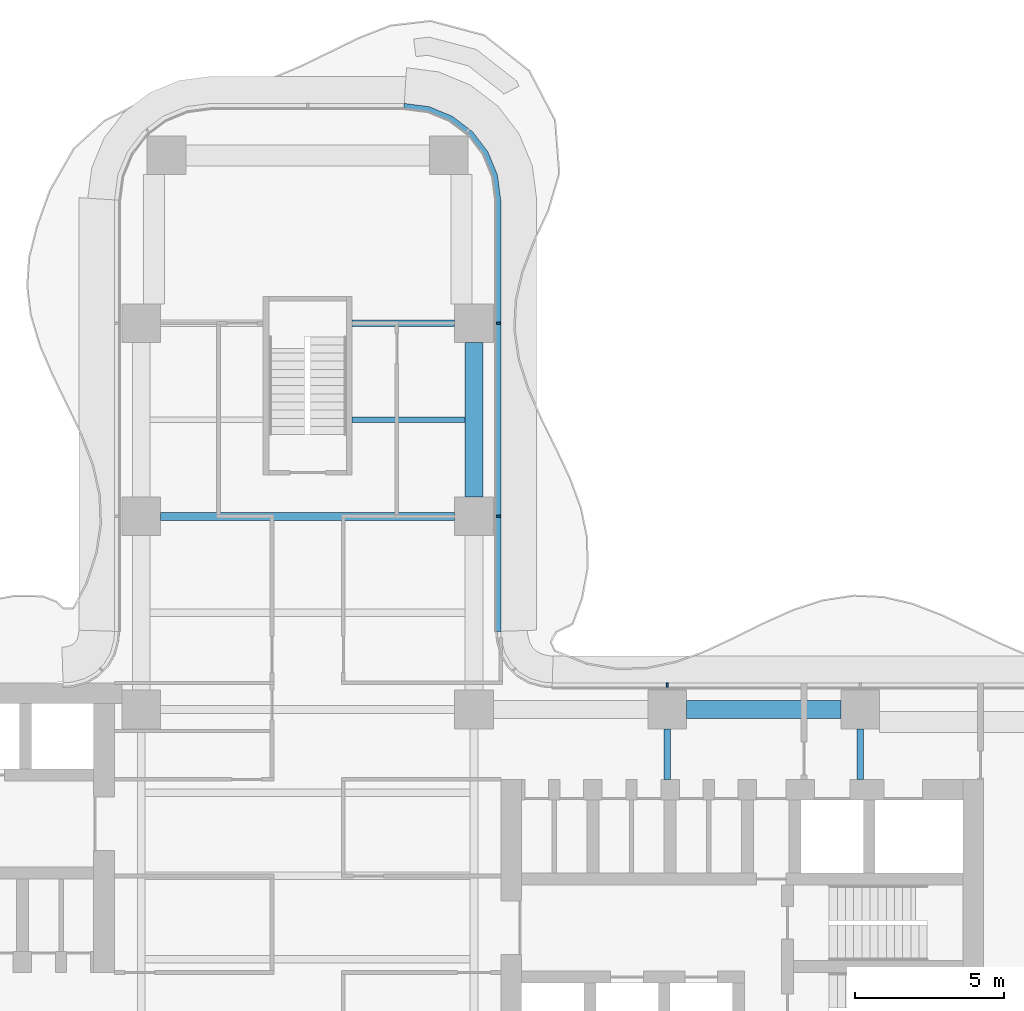
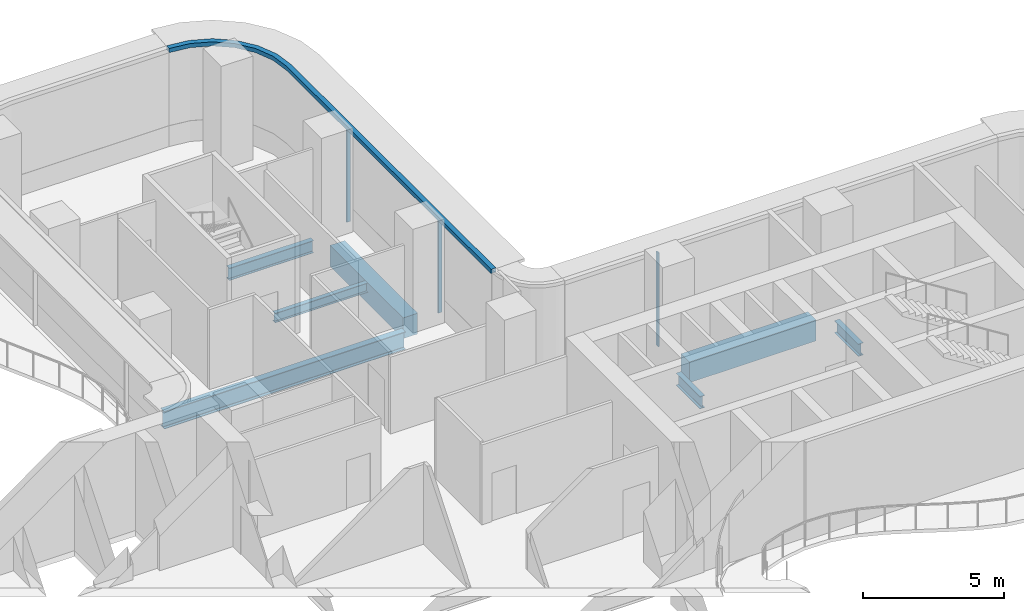
# One storey, part 10 of 21: 7 beams, 4 members, 2 elements without a shape of their own.
"""IFC4 building model written with IfcOpenShell, lengths in metres."""

import ifcopenshell
import ifcopenshell.guid

model = None  # the IFC model being written
_history = None  # IfcOwnerHistory: only IFC2X3 demands one
_inside = {}  # id of a spatial element -> (the spatial element, [elements in it])
_under = {}  # id of a project, library or spatial element -> (it, [spatial elements below it])
_declared = {}  # id of a project -> (the project, [libraries it declares])
_typed = {}  # id of a type object -> (the type object, [elements of that type])
_made_of = {}  # id of a material, layer set ... -> (it, [elements and type objects made of it])


def new_model(schema):
    """Start an empty IFC model of exactly this schema.

    Asked for "IFC4X3", IfcOpenShell would pick the latest addendum, in which some entities
    have other attributes; the version numbers below select the first issue.
    IFC2X3 requires an IfcOwnerHistory on every rooted entity: one is made here for all.
    """
    global model, _history
    if schema == "IFC4X3":
        model = ifcopenshell.file(schema_version=(4, 3, 0, 0))
    else:
        model = ifcopenshell.file(schema=schema)
    _inside.clear()
    _under.clear()
    _declared.clear()
    _typed.clear()
    _made_of.clear()
    _history = None
    if model.schema == "IFC2X3":
        org = make("IfcOrganization", Name="unknown")
        user = make(
            "IfcPersonAndOrganization",
            ThePerson=make("IfcPerson", FamilyName="unknown"),
            TheOrganization=org,
        )
        app = make(
            "IfcApplication",
            ApplicationDeveloper=org,
            Version="unknown",
            ApplicationFullName="unknown",
            ApplicationIdentifier="unknown",
        )
        _history = make(
            "IfcOwnerHistory",
            OwningUser=user,
            OwningApplication=app,
            ChangeAction="ADDED",
            CreationDate=0,
        )
    return model


def make(cls, **values):
    """One entity of the class cls with the attributes given. An attribute that is None is left unset."""
    return model.create_entity(
        cls, **{name: value for name, value in values.items() if value is not None}
    )


def rooted(cls, **values):
    """An entity with a GlobalId (a new one), such as an element, a storey or a relation."""
    return make(cls, GlobalId=ifcopenshell.guid.new(), OwnerHistory=_history, **values)


def si_unit(unit_type, name, prefix=None):
    """IfcSIUnit, for example si_unit("LENGTHUNIT", "METRE", prefix="MILLI")."""
    return make("IfcSIUnit", UnitType=unit_type, Prefix=prefix, Name=name)


def assignment(units):
    """IfcUnitAssignment: the units of a project."""
    return None if units is None else make("IfcUnitAssignment", Units=units)


def point(xyz):
    """IfcCartesianPoint."""
    return None if xyz is None else make("IfcCartesianPoint", Coordinates=xyz)


def direction(xyz):
    """IfcDirection."""
    return None if xyz is None else make("IfcDirection", DirectionRatios=xyz)


def frame(location, z_axis=None, x_axis=None):
    """IfcAxis2Placement3D, a coordinate frame: its origin and axes. An axis left out is left unset."""
    return make(
        "IfcAxis2Placement3D",
        Location=point(location),
        Axis=direction(z_axis),
        RefDirection=direction(x_axis),
    )


def frame_2d(location, x_axis=None):
    """IfcAxis2Placement2D, a coordinate frame in the plane: its origin and x axis."""
    return make(
        "IfcAxis2Placement2D", Location=point(location), RefDirection=direction(x_axis)
    )


def origin():
    """The frame at (0, 0, 0) with its axes left unset."""
    return frame((0.0, 0.0, 0.0))


def origin_2d():
    """The frame at (0, 0) in the plane with its x axis left unset."""
    return frame_2d((0.0, 0.0))


def place(relative_to, where):
    """IfcLocalPlacement: puts the frame where relative to a parent placement (None: the world)."""
    return make(
        "IfcLocalPlacement", PlacementRelTo=relative_to, RelativePlacement=where
    )


def context(
    kind, dimensions, precision=None, world=None, true_north=None, identifier=None
):
    """IfcGeometricRepresentationContext, for example the 3D "Model" context."""
    return make(
        "IfcGeometricRepresentationContext",
        ContextIdentifier=identifier,
        ContextType=kind,
        CoordinateSpaceDimension=dimensions,
        Precision=precision,
        WorldCoordinateSystem=world,
        TrueNorth=true_north,
    )


def subcontext(parent, identifier, kind, view, scale=None):
    """IfcGeometricRepresentationSubContext, for example "Body" below "Model"."""
    return make(
        "IfcGeometricRepresentationSubContext",
        ContextIdentifier=identifier,
        ContextType=kind,
        ParentContext=parent,
        TargetScale=scale,
        TargetView=view,
    )


def project(units=None, contexts=None):
    """IfcProject with its units and contexts."""
    return rooted(
        "IfcProject",
        Name="project",
        RepresentationContexts=contexts,
        UnitsInContext=assignment(units),
    )


def spatial(cls, under=None, at=None, **own):
    """A site, building, storey or space (cls), placed at a placement, below another one or the project."""
    s = rooted(cls, ObjectPlacement=at, **own)
    if under is not None:
        _under.setdefault(under.id(), (under, []))[1].append(s)
    return s


def polyline(points):
    """IfcPolyline through the points."""
    return make("IfcPolyline", Points=[point(p) for p in points])


def profile(cls, at=None, kind="AREA", **sizes):
    """A parametric profile (cls). Its sizes go by their IFC names, for example OverallWidth=200.0."""
    return make(cls, ProfileType=kind, Position=at, **sizes)


def rectangle(**sizes):
    """IfcRectangleProfileDef."""
    return profile("IfcRectangleProfileDef", **sizes)


def i_section(**sizes):
    """IfcIShapeProfileDef."""
    return profile("IfcIShapeProfileDef", **sizes)


def outline(outer, holes=None, kind="AREA"):
    """IfcArbitraryClosedProfileDef: a profile drawn as a closed curve; with holes, ...WithVoids."""
    if holes is None:
        return make("IfcArbitraryClosedProfileDef", ProfileType=kind, OuterCurve=outer)
    return make(
        "IfcArbitraryProfileDefWithVoids",
        ProfileType=kind,
        OuterCurve=outer,
        InnerCurves=holes,
    )


def extrude(swept, where, along, depth):
    """IfcExtrudedAreaSolid: the profile swept, set in the frame where, extruded along a direction by depth."""
    return make(
        "IfcExtrudedAreaSolid",
        SweptArea=swept,
        Position=where,
        ExtrudedDirection=direction(along),
        Depth=depth,
    )


def shape(context_of_items, identifier, shape_type, items):
    """IfcShapeRepresentation: the items that make up one representation, for example the "Body"."""
    return make(
        "IfcShapeRepresentation",
        ContextOfItems=context_of_items,
        RepresentationIdentifier=identifier,
        RepresentationType=shape_type,
        Items=items,
    )


def source(mapping_origin, context_of_items, identifier, shape_type, items):
    """IfcRepresentationMap: a shape defined once, which mapped items show again and again."""
    return make(
        "IfcRepresentationMap",
        MappingOrigin=mapping_origin,
        MappedRepresentation=shape(context_of_items, identifier, shape_type, items),
    )


def transform(
    local_origin,
    x_axis=None,
    y_axis=None,
    z_axis=None,
    scale=None,
    scale2=None,
    scale3=None,
    uniform=True,
):
    """IfcCartesianTransformationOperator3D, or its non-uniform kind. x_axis, y_axis, z_axis: its Axis1, 2, 3."""
    if uniform:
        return make(
            "IfcCartesianTransformationOperator3D",
            Axis1=direction(x_axis),
            Axis2=direction(y_axis),
            LocalOrigin=point(local_origin),
            Scale=scale,
            Axis3=direction(z_axis),
        )
    return make(
        "IfcCartesianTransformationOperator3DnonUniform",
        Axis1=direction(x_axis),
        Axis2=direction(y_axis),
        LocalOrigin=point(local_origin),
        Scale=scale,
        Axis3=direction(z_axis),
        Scale2=scale2,
        Scale3=scale3,
    )


def mapped(mapping_source, mapping_target):
    """IfcMappedItem: shows the shape of a source again, moved by a transform."""
    return make(
        "IfcMappedItem", MappingSource=mapping_source, MappingTarget=mapping_target
    )


def material(Name=None, Category=None):
    """IfcMaterial."""
    return make("IfcMaterial", Name=Name, Category=Category)


def layer(
    of_material, thickness, ventilated=None, Name=None, Category=None, Priority=None
):
    """IfcMaterialLayer: one layer of a wall or slab, of a material (None: an air gap)."""
    return make(
        "IfcMaterialLayer",
        Material=of_material,
        LayerThickness=thickness,
        IsVentilated=ventilated,
        Name=Name,
        Category=Category,
        Priority=Priority,
    )


def layer_set(layers, Name=None):
    """IfcMaterialLayerSet."""
    return make("IfcMaterialLayerSet", MaterialLayers=layers, LayerSetName=Name)


def material_profile(
    of_material, cross_section, Name=None, Category=None, Priority=None
):
    """IfcMaterialProfile: a cross section and its material."""
    return make(
        "IfcMaterialProfile",
        Name=Name,
        Material=of_material,
        Profile=cross_section,
        Priority=Priority,
        Category=Category,
    )


def profile_set(profiles, Name=None, composite=None):
    """IfcMaterialProfileSet."""
    return make(
        "IfcMaterialProfileSet",
        Name=Name,
        MaterialProfiles=profiles,
        CompositeProfile=composite,
    )


def made_of(thing, what):
    """Note that an element or type object is made of a material, layer set ...; save() writes the relation."""
    if what is not None:
        _made_of.setdefault(what.id(), (what, []))[1].append(thing)
    return thing


def type_object(cls, material=None, **own):
    """A type object (cls), such as IfcWallType, which elements share."""
    return made_of(rooted(cls, **own), material)


def element(
    cls,
    number,
    at=None,
    inside=None,
    cuts=None,
    type_object=None,
    material=None,
    context=None,
    identifier="Body",
    shape_type=None,
    held_by="IfcProductDefinitionShape",
    body=None,
    shapes=None,
    **own,
):
    """One element of the class cls, such as IfcWall. Its Tag is "e" and its number.

    at: its placement. inside: the storey or other place that contains it. cuts: it is an
    opening in that element (IfcRelVoidsElement). A single representation is given by context,
    identifier, shape_type and body (its items); several are given by shapes. held_by: the class
    of the entity that holds the representations. save() writes the other relations.
    """
    e = rooted(cls, Tag="e%d" % number, ObjectPlacement=at, **own)
    if body is not None:
        shapes = [shape(context, identifier, shape_type, body)]
    if shapes is not None:
        e.Representation = make(held_by, Representations=shapes)
    if inside is not None:
        _inside.setdefault(inside.id(), (inside, []))[1].append(e)
    if cuts is not None:
        rooted(
            "IfcRelVoidsElement", RelatingBuildingElement=cuts, RelatedOpeningElement=e
        )
    if type_object is not None:
        _typed.setdefault(type_object.id(), (type_object, []))[1].append(e)
    return made_of(e, material)


def aggregate(whole, parts):
    """IfcRelAggregates: a whole, such as a stair, and the parts it consists of."""
    return rooted("IfcRelAggregates", RelatingObject=whole, RelatedObjects=parts)


def save(model, path):
    """Write the relations noted so far, then the file.

    IfcRelAggregates (storeys below a building ...), IfcRelContainedInSpatialStructure (elements
    in a storey), IfcRelDefinesByType, IfcRelAssociatesMaterial and IfcRelDeclares: one each for
    every whole, place, type object, material and project.
    """
    for whole, parts in _under.values():
        aggregate(whole, parts)
    for where, things in _inside.values():
        rooted(
            "IfcRelContainedInSpatialStructure",
            RelatedElements=things,
            RelatingStructure=where,
        )
    for kind, things in _typed.values():
        rooted("IfcRelDefinesByType", RelatedObjects=things, RelatingType=kind)
    for what, things in _made_of.values():
        rooted("IfcRelAssociatesMaterial", RelatedObjects=things, RelatingMaterial=what)
    for by, libraries in _declared.values():
        rooted("IfcRelDeclares", RelatingContext=by, RelatedDefinitions=libraries)
    model.write(path)


model = new_model("IFC4")

# Units and contexts
model_context = context("Model", 3, precision=1e-05, world=origin(), true_north=direction((0.0, 1.0)))
body_context = subcontext(model_context, "Body", "Model", "MODEL_VIEW")
ifc_project = project(units=[si_unit("LENGTHUNIT", "METRE"), si_unit("AREAUNIT", "SQUARE_METRE"), si_unit("VOLUMEUNIT", "CUBIC_METRE"), si_unit("PLANEANGLEUNIT", "RADIAN"), si_unit("MASSUNIT", "GRAM", prefix="KILO")], contexts=[model_context])

# Site, building, storey
site_placement = place(None, origin())
site = spatial("IfcSite", under=ifc_project, at=site_placement, CompositionType="ELEMENT")
building_placement = place(site_placement, origin())
building = spatial("IfcBuilding", under=site, at=building_placement, Name="Trellis Farm Tower", CompositionType="ELEMENT")
storey_placement = place(building_placement, frame((0.0, 0.0, 115.5)))
storey = spatial("IfcBuildingStorey", under=building, at=storey_placement, Name="L24", CompositionType="ELEMENT", Elevation=115.5)

# Beams
ifc_material_1 = material(Name="Steel S355", Category="steel")
ifc_material_profile_1 = material_profile(ifc_material_1, i_section(OverallWidth=0.177978515625, OverallDepth=0.406494140625, WebThickness=0.0078125, FlangeThickness=0.0126953125, FilletRadius=0.01025390625, at=origin_2d()), Name="UB 406x178x60")
ifc_profile_set_1 = profile_set([ifc_material_profile_1], Name="Steel S355")
beam_type_1 = type_object("IfcBeamType", Name="UB 406x178x60 joist", PredefinedType="JOIST", material=ifc_profile_set_1)
shared_shape_1 = source(origin(), body_context, "Body", "SweptSolid", [
    extrude(i_section(OverallWidth=0.177978515625, OverallDepth=0.406494140625, WebThickness=0.0078125, FlangeThickness=0.0126953125, FilletRadius=0.01025390625, at=origin_2d()), origin(), (0.0, 0.0, 1.0), 3.800048828125),
])
beam_1_placement = place(storey_placement, frame((1.5, 15.35009765625, -0.453125), z_axis=(1.0, 0.0, 0.0), x_axis=(0.0, 1.0, 0.0)))
element("IfcBeam", 1, at=beam_1_placement, inside=storey, type_object=beam_type_1, Name="Floor beam", PredefinedType="JOIST", context=body_context, shape_type="MappedRepresentation", body=[
    mapped(shared_shape_1, transform((0.0, 0.0, 0.0))),
])
ifc_material_profile_2 = material_profile(ifc_material_1, i_section(OverallWidth=0.209228515625, OverallDepth=0.533203125, WebThickness=0.010009765625, FlangeThickness=0.015625, FilletRadius=0.0126953125, at=origin_2d()), Name="UB 533x210x92")
ifc_profile_set_2 = profile_set([ifc_material_profile_2], Name="Steel S355")
beam_type_2 = type_object("IfcBeamType", Name="UB 533x210x92", PredefinedType="BEAM", material=ifc_profile_set_2)
shared_shape_2 = source(origin(), body_context, "Body", "SweptSolid", [
    extrude(i_section(OverallWidth=0.209228515625, OverallDepth=0.533203125, WebThickness=0.010009765625, FlangeThickness=0.015625, FilletRadius=0.0126953125, at=origin_2d()), origin(), (0.0, 0.0, 1.0), 3.449951171875),
])
beam_2_placement = place(storey_placement, frame((1.5, 18.60009765625, -0.5166015625), z_axis=(1.0, 0.0, 0.0), x_axis=(0.0, 1.0, 0.0)))
element("IfcBeam", 2, at=beam_2_placement, inside=storey, type_object=beam_type_2, Name="Girder", PredefinedType="BEAM", context=body_context, shape_type="MappedRepresentation", body=[
    mapped(shared_shape_2, transform((0.0, 0.0, 0.0))),
])
ifc_material_profile_3 = material_profile(ifc_material_1, i_section(OverallWidth=0.2666015625, OverallDepth=0.76220703125, WebThickness=0.014404296875, FlangeThickness=0.021484375, FilletRadius=0.0166015625, at=origin_2d()), Name="UB 762x267x173")
ifc_profile_set_3 = profile_set([ifc_material_profile_3], Name="Steel S355")
beam_type_3 = type_object("IfcBeamType", Name="UB 762x267x173", PredefinedType="BEAM", material=ifc_profile_set_3)
shared_shape_3 = source(origin(), body_context, "Body", "SweptSolid", [
    extrude(i_section(OverallWidth=0.2666015625, OverallDepth=0.76220703125, WebThickness=0.014404296875, FlangeThickness=0.021484375, FilletRadius=0.0166015625, at=origin_2d()), origin(), (0.0, 0.0, 1.0), 9.89990234375),
])
beam_3_placement = place(storey_placement, frame((-4.949951171875, 12.10009765625, -0.631103515625), z_axis=(1.0, 0.0, 0.0), x_axis=(0.0, 1.0, 0.0)))
element("IfcBeam", 3, at=beam_3_placement, inside=storey, type_object=beam_type_3, Name="Girder", PredefinedType="BEAM", context=body_context, shape_type="MappedRepresentation", body=[
    mapped(shared_shape_3, transform((0.0, 0.0, 0.0))),
])
shared_shape_4 = source(origin(), body_context, "Body", "SweptSolid", [
    extrude(i_section(OverallWidth=0.209228515625, OverallDepth=0.533203125, WebThickness=0.010009765625, FlangeThickness=0.015625, FilletRadius=0.0126953125, at=origin_2d()), origin(), (0.0, 0.0, 1.0), 1.699951171875),
])
for number, where, z_axis, x_axis, name in (
    (4, (12.10009765625, 3.25, -0.5166015625), (0.0, 1.0, 0.0), (-1.0, 0.0, 0.0), "Girder"),
    (5, (18.60009765625, 3.25, -0.5166015625), (0.0, 1.0, 0.0), (-1.0, 0.0, 0.0), "Girder"),
):
    element("IfcBeam", number, at=place(storey_placement, frame(where, z_axis=z_axis, x_axis=x_axis)), inside=storey, type_object=beam_type_2, Name=name, PredefinedType="BEAM", context=body_context, shape_type="MappedRepresentation", body=[
        mapped(shared_shape_4, transform((0.0, 0.0, 0.0))),
    ])
ifc_material_2 = material(Name="Concrete C60/75", Category="concrete")
ifc_material_profile_4 = material_profile(ifc_material_2, rectangle(XDim=0.60009765625, YDim=0.89990234375, at=origin_2d()), Name="RC spandrel beam 600x900 C60/75")
ifc_profile_set_4 = profile_set([ifc_material_profile_4], Name="Concrete C60/75")
beam_type_4 = type_object("IfcBeamType", Name="RC spandrel beam 600x900 C60/75", PredefinedType="SPANDREL", material=ifc_profile_set_4)
shared_shape_5 = source(origin(), body_context, "Body", "SweptSolid", [
    extrude(rectangle(XDim=0.60009765625, YDim=0.89990234375, at=origin_2d()), origin(), (0.0, 0.0, 1.0), 5.199951171875),
])
for number, where, z_axis, x_axis, name in (
    (6, (12.75, 5.60009765625, -0.699951171875), (1.0, 0.0, 0.0), (0.0, 1.0, 0.0), "Girder"),
    (7, (5.60009765625, 12.75, -0.699951171875), (0.0, 1.0, 0.0), (-1.0, 0.0, 0.0), "Girder"),
):
    element("IfcBeam", number, at=place(storey_placement, frame(where, z_axis=z_axis, x_axis=x_axis)), inside=storey, type_object=beam_type_4, Name=name, PredefinedType="SPANDREL", context=body_context, shape_type="MappedRepresentation", body=[
        mapped(shared_shape_5, transform((0.0, 0.0, 0.0))),
    ])

# Curtain wall, member
ifc_material_3 = material(Name="Aluminium and glass curtain wall", Category="aluminium")
ifc_layer_1 = layer(ifc_material_3, 0.18994140625)
ifc_layer_set_1 = layer_set([ifc_layer_1], Name="RIBBON CURTAIN WALL CW1")
curtain_wall_type = type_object("IfcCurtainWallType", Name="RIBBON CURTAIN WALL CW1", PredefinedType="NOTDEFINED", material=ifc_layer_set_1)
placement = place(storey_placement, origin())
curtain_wall_1 = element("IfcCurtainWall", 8, at=placement, inside=storey, type_object=curtain_wall_type, Name="CW1 008", PredefinedType="NOTDEFINED")
ifc_material_4 = material(Name="Aluminium extrusion 6063-T6", Category="aluminium")
ifc_material_profile_5 = material_profile(ifc_material_4, rectangle(XDim=0.06005859375, YDim=0.14990234375, at=origin_2d()), Name="MULLION 60x150")
ifc_profile_set_5 = profile_set([ifc_material_profile_5], Name="Aluminium extrusion 6063-T6")
member_type_1 = type_object("IfcMemberType", Name="CW1 MULLION 60x150", PredefinedType="MULLION", material=ifc_profile_set_5)
shared_shape_6 = source(origin(), body_context, "Body", "SweptSolid", [
    extrude(rectangle(XDim=0.06005859375, YDim=0.14990234375, at=origin_2d()), origin(), (0.0, 0.0, 1.0), 4.070068359375),
])
member_1_placement = place(storey_placement, frame((12.10009765625, 6.425048828125, 0.0), z_axis=(0.0, 0.0, 1.0), x_axis=(-1.0, 0.0, 0.0)))
member_1 = element("IfcMember", 9, at=member_1_placement, type_object=member_type_1, Name="MU1 008-02", PredefinedType="MULLION", context=body_context, shape_type="MappedRepresentation", body=[
    mapped(shared_shape_6, transform((0.0, 0.0, 0.0))),
])
aggregate(curtain_wall_1, [member_1])

# Curtain wall, members
curtain_wall_2 = element("IfcCurtainWall", 10, at=placement, inside=storey, type_object=curtain_wall_type, Name="CW1 009", PredefinedType="NOTDEFINED")
member_2_placement = place(storey_placement, frame((6.425048828125, 12.10009765625, 0.0), z_axis=(0.0, 0.0, 1.0), x_axis=(0.0, 1.0, 0.0)))
member_2 = element("IfcMember", 11, at=member_2_placement, type_object=member_type_1, Name="MU1 009-01", PredefinedType="MULLION", context=body_context, shape_type="MappedRepresentation", body=[
    mapped(shared_shape_6, transform((0.0, 0.0, 0.0))),
])
member_3_placement = place(storey_placement, frame((6.425048828125, 18.60009765625, 0.0), z_axis=(0.0, 0.0, 1.0), x_axis=(0.0, 1.0, 0.0)))
member_3 = element("IfcMember", 12, at=member_3_placement, type_object=member_type_1, Name="MU1 009-02", PredefinedType="MULLION", context=body_context, shape_type="MappedRepresentation", body=[
    mapped(shared_shape_6, transform((0.0, 0.0, 0.0))),
])
ifc_layer_2 = layer(ifc_material_4, 0.199951171875)
ifc_layer_set_2 = layer_set([ifc_layer_2], Name="Aluminium extrusion 6063-T6")
member_type_2 = type_object("IfcMemberType", Name="CW1 TRANSOM 200x180", PredefinedType="USERDEFINED", material=ifc_layer_set_2)
shared_shape_7 = source(origin(), body_context, "Body", "SweptSolid", [
    extrude(outline(polyline([(6.5, 8.2314453125), (6.5, 22.75), (6.38916015625, 23.591064453125), (6.064697265625, 24.375), (5.548095703125, 25.048095703125), (4.875, 25.564697265625), (4.091064453125, 25.88916015625), (3.25, 26.0), (3.23681640625, 25.800048828125), (4.0390625, 25.6943359375), (4.774169921875, 25.389892578125), (5.405517578125, 24.905517578125), (5.889892578125, 24.274169921875), (6.1943359375, 23.5390625), (6.300048828125, 22.73681640625), (6.300048828125, 8.224853515625), (6.5, 8.2314453125)])), origin(), (0.0, 0.0, 1.0), 0.179931640625),
])
member_4_placement = place(storey_placement, frame((0.0, 0.0, 4.070068359375)))
member_4 = element("IfcMember", 13, at=member_4_placement, type_object=member_type_2, Name="TR1 009", ObjectType="TRANSOM", PredefinedType="USERDEFINED", context=body_context, shape_type="MappedRepresentation", body=[
    mapped(shared_shape_7, transform((0.0, 0.0, 0.0))),
])
aggregate(curtain_wall_2, [member_2, member_3, member_4])

save(model, "model.ifc")
